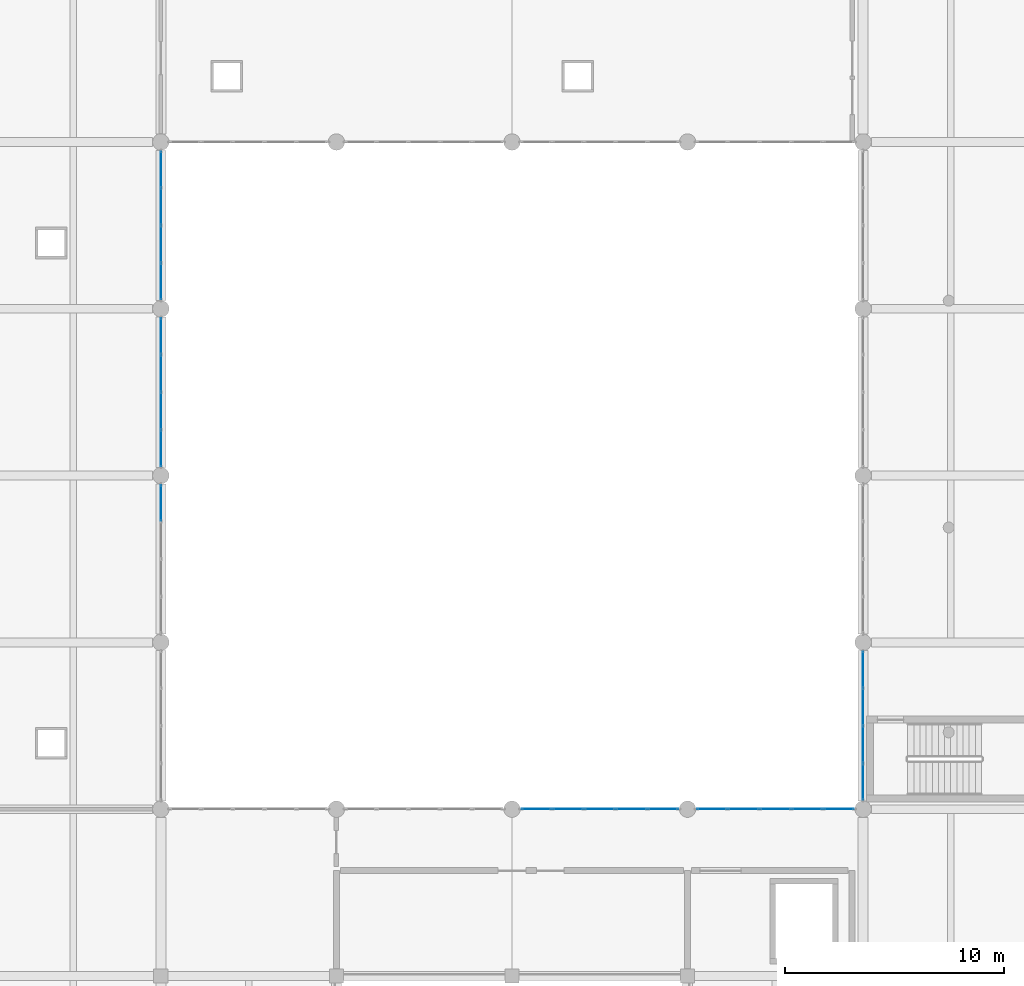
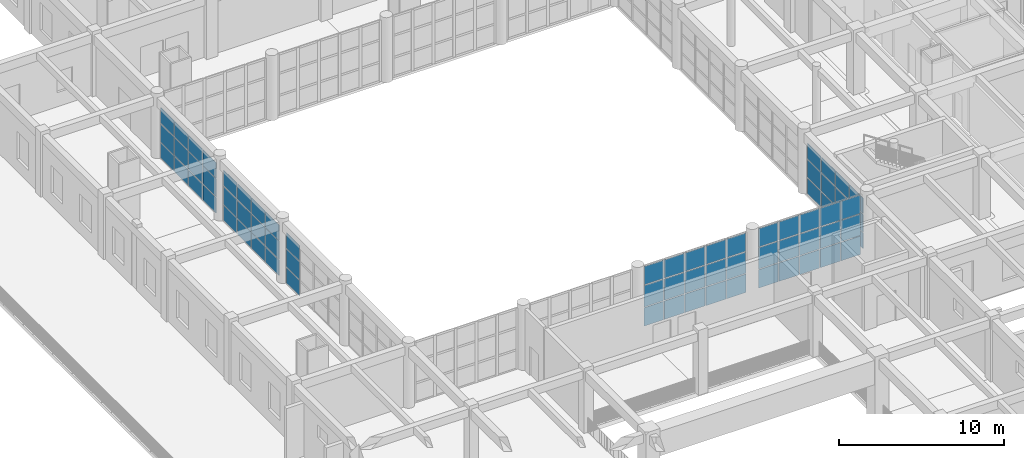
# One storey, part 62 of 101: 69 plates, 6 elements without a shape of their own.
"""IFC4 building model written with IfcOpenShell, lengths in metres."""

from ifc_helpers import new_model, si_unit, direction, frame, origin, origin_2d, place, context, subcontext, project, spatial, rectangle, extrude, material, layer, layer_set, type_object, element, aggregate, save


model = new_model("IFC4")

# Units and contexts
model_context = context("Model", 3, precision=1e-05, world=origin(), true_north=direction((0.0, 1.0)))
body_context = subcontext(model_context, "Body", "Model", "MODEL_VIEW")
ifc_project = project(units=[si_unit("LENGTHUNIT", "METRE"), si_unit("AREAUNIT", "SQUARE_METRE"), si_unit("VOLUMEUNIT", "CUBIC_METRE"), si_unit("PLANEANGLEUNIT", "RADIAN"), si_unit("MASSUNIT", "GRAM", prefix="KILO")], contexts=[model_context])

# Site, building, storey
site_placement = place(None, origin())
site = spatial("IfcSite", under=ifc_project, at=site_placement, CompositionType="ELEMENT")
building_placement = place(site_placement, origin())
building = spatial("IfcBuilding", under=site, at=building_placement, Name="Zantavel Square City Hall", CompositionType="ELEMENT")
storey_placement = place(building_placement, frame((0.0, 0.0, 5.39990234375)))
storey = spatial("IfcBuildingStorey", under=building, at=storey_placement, Name="L02", CompositionType="ELEMENT", Elevation=5.39990234375)

# Curtain wall, plates
ifc_material_1 = material(Name="Anodised aluminium 6063-T6", Category="aluminium")
curtain_wall_type_1 = type_object("IfcCurtainWallType", Name="Curtain Wall CRT 7250x4520", PredefinedType="USERDEFINED", material=ifc_material_1)
curtain_wall_1_placement = place(storey_placement, origin())
curtain_wall_1 = element("IfcCurtainWall", 1, at=curtain_wall_1_placement, inside=storey, type_object=curtain_wall_type_1, Name="L02 Glazed Curtain Wall CW-L02-075", ObjectType="GLAZED CURTAIN WALL", PredefinedType="USERDEFINED")
ifc_material_2 = material(Name="Tempered safety glass low-E double glazing", Category="glass")
ifc_layer_1 = layer(ifc_material_2, 0.028076171875, Name="Tempered safety glass low-E double glazing")
ifc_layer_set_1 = layer_set([ifc_layer_1], Name="Tempered safety glass low-E double glazing")
plate_type_1 = type_object("IfcPlateType", Name="Low-E Curtain Glazing Panel 1450x1507x28", PredefinedType="CURTAIN_PANEL", material=ifc_layer_set_1)
plate_1_placement = place(storey_placement, frame((33.114990234375, 38.0, 0.06005859375), z_axis=(0.0, 0.0, 1.0), x_axis=(1.0, 0.0, 0.0)))
plate_1 = element("IfcPlate", 2, at=plate_1_placement, type_object=plate_type_1, Name="CW-075 panel 1.1", PredefinedType="CURTAIN_PANEL", context=body_context, shape_type="SweptSolid", body=[
    extrude(rectangle(XDim=1.360107421875, YDim=0.028076171875, at=origin_2d()), origin(), (0.0, 0.0, 1.0), 1.35595703125),
])
plate_2_placement = place(storey_placement, frame((33.114990234375, 38.0, 1.47607421875), z_axis=(0.0, 0.0, 1.0), x_axis=(1.0, 0.0, 0.0)))
plate_2 = element("IfcPlate", 3, at=plate_2_placement, type_object=plate_type_1, Name="CW-075 panel 1.2", PredefinedType="CURTAIN_PANEL", context=body_context, shape_type="SweptSolid", body=[
    extrude(rectangle(XDim=1.360107421875, YDim=0.028076171875, at=origin_2d()), origin(), (0.0, 0.0, 1.0), 1.568115234375),
])
plate_3_placement = place(storey_placement, frame((33.114990234375, 38.0, 3.10400390625), z_axis=(0.0, 0.0, 1.0), x_axis=(1.0, 0.0, 0.0)))
plate_3 = element("IfcPlate", 4, at=plate_3_placement, type_object=plate_type_1, Name="CW-075 panel 1.3", PredefinedType="CURTAIN_PANEL", context=body_context, shape_type="SweptSolid", body=[
    extrude(rectangle(XDim=1.360107421875, YDim=0.028076171875, at=origin_2d()), origin(), (0.0, 0.0, 1.0), 1.35595703125),
])
plate_4_placement = place(storey_placement, frame((34.550048828125, 38.0, 0.06005859375), z_axis=(0.0, 0.0, 1.0), x_axis=(1.0, 0.0, 0.0)))
plate_4 = element("IfcPlate", 5, at=plate_4_placement, type_object=plate_type_1, Name="CW-075 panel 2.1", PredefinedType="CURTAIN_PANEL", context=body_context, shape_type="SweptSolid", body=[
    extrude(rectangle(XDim=1.389892578125, YDim=0.028076171875, at=origin_2d()), origin(), (0.0, 0.0, 1.0), 1.35595703125),
])
plate_5_placement = place(storey_placement, frame((34.550048828125, 38.0, 1.47607421875), z_axis=(0.0, 0.0, 1.0), x_axis=(1.0, 0.0, 0.0)))
plate_5 = element("IfcPlate", 6, at=plate_5_placement, type_object=plate_type_1, Name="CW-075 panel 2.2", PredefinedType="CURTAIN_PANEL", context=body_context, shape_type="SweptSolid", body=[
    extrude(rectangle(XDim=1.389892578125, YDim=0.028076171875, at=origin_2d()), origin(), (0.0, 0.0, 1.0), 1.568115234375),
])
plate_6_placement = place(storey_placement, frame((34.550048828125, 38.0, 3.10400390625), z_axis=(0.0, 0.0, 1.0), x_axis=(1.0, 0.0, 0.0)))
plate_6 = element("IfcPlate", 7, at=plate_6_placement, type_object=plate_type_1, Name="CW-075 panel 2.3", PredefinedType="CURTAIN_PANEL", context=body_context, shape_type="SweptSolid", body=[
    extrude(rectangle(XDim=1.389892578125, YDim=0.028076171875, at=origin_2d()), origin(), (0.0, 0.0, 1.0), 1.35595703125),
])
plate_7_placement = place(storey_placement, frame((36.0, 38.0, 0.06005859375), z_axis=(0.0, 0.0, 1.0), x_axis=(1.0, 0.0, 0.0)))
plate_7 = element("IfcPlate", 8, at=plate_7_placement, type_object=plate_type_1, Name="CW-075 panel 3.1", PredefinedType="CURTAIN_PANEL", context=body_context, shape_type="SweptSolid", body=[
    extrude(rectangle(XDim=1.389892578125, YDim=0.028076171875, at=origin_2d()), origin(), (0.0, 0.0, 1.0), 1.35595703125),
])
plate_8_placement = place(storey_placement, frame((36.0, 38.0, 1.47607421875), z_axis=(0.0, 0.0, 1.0), x_axis=(1.0, 0.0, 0.0)))
plate_8 = element("IfcPlate", 9, at=plate_8_placement, type_object=plate_type_1, Name="CW-075 panel 3.2", PredefinedType="CURTAIN_PANEL", context=body_context, shape_type="SweptSolid", body=[
    extrude(rectangle(XDim=1.389892578125, YDim=0.028076171875, at=origin_2d()), origin(), (0.0, 0.0, 1.0), 1.568115234375),
])
plate_9_placement = place(storey_placement, frame((36.0, 38.0, 3.10400390625), z_axis=(0.0, 0.0, 1.0), x_axis=(1.0, 0.0, 0.0)))
plate_9 = element("IfcPlate", 10, at=plate_9_placement, type_object=plate_type_1, Name="CW-075 panel 3.3", PredefinedType="CURTAIN_PANEL", context=body_context, shape_type="SweptSolid", body=[
    extrude(rectangle(XDim=1.389892578125, YDim=0.028076171875, at=origin_2d()), origin(), (0.0, 0.0, 1.0), 1.35595703125),
])
plate_10_placement = place(storey_placement, frame((37.449951171875, 38.0, 0.06005859375), z_axis=(0.0, 0.0, 1.0), x_axis=(1.0, 0.0, 0.0)))
plate_10 = element("IfcPlate", 11, at=plate_10_placement, type_object=plate_type_1, Name="CW-075 panel 4.1", PredefinedType="CURTAIN_PANEL", context=body_context, shape_type="SweptSolid", body=[
    extrude(rectangle(XDim=1.389892578125, YDim=0.028076171875, at=origin_2d()), origin(), (0.0, 0.0, 1.0), 1.35595703125),
])
plate_11_placement = place(storey_placement, frame((37.449951171875, 38.0, 1.47607421875), z_axis=(0.0, 0.0, 1.0), x_axis=(1.0, 0.0, 0.0)))
plate_11 = element("IfcPlate", 12, at=plate_11_placement, type_object=plate_type_1, Name="CW-075 panel 4.2", PredefinedType="CURTAIN_PANEL", context=body_context, shape_type="SweptSolid", body=[
    extrude(rectangle(XDim=1.389892578125, YDim=0.028076171875, at=origin_2d()), origin(), (0.0, 0.0, 1.0), 1.568115234375),
])
plate_12_placement = place(storey_placement, frame((37.449951171875, 38.0, 3.10400390625), z_axis=(0.0, 0.0, 1.0), x_axis=(1.0, 0.0, 0.0)))
plate_12 = element("IfcPlate", 13, at=plate_12_placement, type_object=plate_type_1, Name="CW-075 panel 4.3", PredefinedType="CURTAIN_PANEL", context=body_context, shape_type="SweptSolid", body=[
    extrude(rectangle(XDim=1.389892578125, YDim=0.028076171875, at=origin_2d()), origin(), (0.0, 0.0, 1.0), 1.35595703125),
])
plate_13_placement = place(storey_placement, frame((38.885009765625, 38.0, 0.06005859375), z_axis=(0.0, 0.0, 1.0), x_axis=(1.0, 0.0, 0.0)))
plate_13 = element("IfcPlate", 14, at=plate_13_placement, type_object=plate_type_1, Name="CW-075 panel 5.1", PredefinedType="CURTAIN_PANEL", context=body_context, shape_type="SweptSolid", body=[
    extrude(rectangle(XDim=1.360107421875, YDim=0.028076171875, at=origin_2d()), origin(), (0.0, 0.0, 1.0), 1.35595703125),
])
plate_14_placement = place(storey_placement, frame((38.885009765625, 38.0, 1.47607421875), z_axis=(0.0, 0.0, 1.0), x_axis=(1.0, 0.0, 0.0)))
plate_14 = element("IfcPlate", 15, at=plate_14_placement, type_object=plate_type_1, Name="CW-075 panel 5.2", PredefinedType="CURTAIN_PANEL", context=body_context, shape_type="SweptSolid", body=[
    extrude(rectangle(XDim=1.360107421875, YDim=0.028076171875, at=origin_2d()), origin(), (0.0, 0.0, 1.0), 1.568115234375),
])
plate_15_placement = place(storey_placement, frame((38.885009765625, 38.0, 3.10400390625), z_axis=(0.0, 0.0, 1.0), x_axis=(1.0, 0.0, 0.0)))
plate_15 = element("IfcPlate", 16, at=plate_15_placement, type_object=plate_type_1, Name="CW-075 panel 5.3", PredefinedType="CURTAIN_PANEL", context=body_context, shape_type="SweptSolid", body=[
    extrude(rectangle(XDim=1.360107421875, YDim=0.028076171875, at=origin_2d()), origin(), (0.0, 0.0, 1.0), 1.35595703125),
])
aggregate(curtain_wall_1, [plate_1, plate_2, plate_3, plate_4, plate_5, plate_6, plate_7, plate_8, plate_9, plate_10, plate_11, plate_12, plate_13, plate_14, plate_15])

curtain_wall_2_placement = place(storey_placement, origin())
curtain_wall_2 = element("IfcCurtainWall", 17, at=curtain_wall_2_placement, inside=storey, type_object=curtain_wall_type_1, Name="L02 Glazed Curtain Wall CW-L02-076", ObjectType="GLAZED CURTAIN WALL", PredefinedType="USERDEFINED")
plate_16_placement = place(storey_placement, frame((41.114990234375, 38.0, 0.06005859375), z_axis=(0.0, 0.0, 1.0), x_axis=(1.0, 0.0, 0.0)))
plate_16 = element("IfcPlate", 18, at=plate_16_placement, type_object=plate_type_1, Name="CW-076 panel 1.1", PredefinedType="CURTAIN_PANEL", context=body_context, shape_type="SweptSolid", body=[
    extrude(rectangle(XDim=1.360107421875, YDim=0.028076171875, at=origin_2d()), origin(), (0.0, 0.0, 1.0), 1.35595703125),
])
plate_17_placement = place(storey_placement, frame((41.114990234375, 38.0, 1.47607421875), z_axis=(0.0, 0.0, 1.0), x_axis=(1.0, 0.0, 0.0)))
plate_17 = element("IfcPlate", 19, at=plate_17_placement, type_object=plate_type_1, Name="CW-076 panel 1.2", PredefinedType="CURTAIN_PANEL", context=body_context, shape_type="SweptSolid", body=[
    extrude(rectangle(XDim=1.360107421875, YDim=0.028076171875, at=origin_2d()), origin(), (0.0, 0.0, 1.0), 1.568115234375),
])
plate_18_placement = place(storey_placement, frame((41.114990234375, 38.0, 3.10400390625), z_axis=(0.0, 0.0, 1.0), x_axis=(1.0, 0.0, 0.0)))
plate_18 = element("IfcPlate", 20, at=plate_18_placement, type_object=plate_type_1, Name="CW-076 panel 1.3", PredefinedType="CURTAIN_PANEL", context=body_context, shape_type="SweptSolid", body=[
    extrude(rectangle(XDim=1.360107421875, YDim=0.028076171875, at=origin_2d()), origin(), (0.0, 0.0, 1.0), 1.35595703125),
])
plate_19_placement = place(storey_placement, frame((42.550048828125, 38.0, 0.06005859375), z_axis=(0.0, 0.0, 1.0), x_axis=(1.0, 0.0, 0.0)))
plate_19 = element("IfcPlate", 21, at=plate_19_placement, type_object=plate_type_1, Name="CW-076 panel 2.1", PredefinedType="CURTAIN_PANEL", context=body_context, shape_type="SweptSolid", body=[
    extrude(rectangle(XDim=1.389892578125, YDim=0.028076171875, at=origin_2d()), origin(), (0.0, 0.0, 1.0), 1.35595703125),
])
plate_20_placement = place(storey_placement, frame((42.550048828125, 38.0, 1.47607421875), z_axis=(0.0, 0.0, 1.0), x_axis=(1.0, 0.0, 0.0)))
plate_20 = element("IfcPlate", 22, at=plate_20_placement, type_object=plate_type_1, Name="CW-076 panel 2.2", PredefinedType="CURTAIN_PANEL", context=body_context, shape_type="SweptSolid", body=[
    extrude(rectangle(XDim=1.389892578125, YDim=0.028076171875, at=origin_2d()), origin(), (0.0, 0.0, 1.0), 1.568115234375),
])
plate_21_placement = place(storey_placement, frame((42.550048828125, 38.0, 3.10400390625), z_axis=(0.0, 0.0, 1.0), x_axis=(1.0, 0.0, 0.0)))
plate_21 = element("IfcPlate", 23, at=plate_21_placement, type_object=plate_type_1, Name="CW-076 panel 2.3", PredefinedType="CURTAIN_PANEL", context=body_context, shape_type="SweptSolid", body=[
    extrude(rectangle(XDim=1.389892578125, YDim=0.028076171875, at=origin_2d()), origin(), (0.0, 0.0, 1.0), 1.35595703125),
])
plate_22_placement = place(storey_placement, frame((44.0, 38.0, 0.06005859375), z_axis=(0.0, 0.0, 1.0), x_axis=(1.0, 0.0, 0.0)))
plate_22 = element("IfcPlate", 24, at=plate_22_placement, type_object=plate_type_1, Name="CW-076 panel 3.1", PredefinedType="CURTAIN_PANEL", context=body_context, shape_type="SweptSolid", body=[
    extrude(rectangle(XDim=1.389892578125, YDim=0.028076171875, at=origin_2d()), origin(), (0.0, 0.0, 1.0), 1.35595703125),
])
plate_23_placement = place(storey_placement, frame((44.0, 38.0, 1.47607421875), z_axis=(0.0, 0.0, 1.0), x_axis=(1.0, 0.0, 0.0)))
plate_23 = element("IfcPlate", 25, at=plate_23_placement, type_object=plate_type_1, Name="CW-076 panel 3.2", PredefinedType="CURTAIN_PANEL", context=body_context, shape_type="SweptSolid", body=[
    extrude(rectangle(XDim=1.389892578125, YDim=0.028076171875, at=origin_2d()), origin(), (0.0, 0.0, 1.0), 1.568115234375),
])
plate_24_placement = place(storey_placement, frame((44.0, 38.0, 3.10400390625), z_axis=(0.0, 0.0, 1.0), x_axis=(1.0, 0.0, 0.0)))
plate_24 = element("IfcPlate", 26, at=plate_24_placement, type_object=plate_type_1, Name="CW-076 panel 3.3", PredefinedType="CURTAIN_PANEL", context=body_context, shape_type="SweptSolid", body=[
    extrude(rectangle(XDim=1.389892578125, YDim=0.028076171875, at=origin_2d()), origin(), (0.0, 0.0, 1.0), 1.35595703125),
])
plate_25_placement = place(storey_placement, frame((45.449951171875, 38.0, 0.06005859375), z_axis=(0.0, 0.0, 1.0), x_axis=(1.0, 0.0, 0.0)))
plate_25 = element("IfcPlate", 27, at=plate_25_placement, type_object=plate_type_1, Name="CW-076 panel 4.1", PredefinedType="CURTAIN_PANEL", context=body_context, shape_type="SweptSolid", body=[
    extrude(rectangle(XDim=1.389892578125, YDim=0.028076171875, at=origin_2d()), origin(), (0.0, 0.0, 1.0), 1.35595703125),
])
plate_26_placement = place(storey_placement, frame((45.449951171875, 38.0, 1.47607421875), z_axis=(0.0, 0.0, 1.0), x_axis=(1.0, 0.0, 0.0)))
plate_26 = element("IfcPlate", 28, at=plate_26_placement, type_object=plate_type_1, Name="CW-076 panel 4.2", PredefinedType="CURTAIN_PANEL", context=body_context, shape_type="SweptSolid", body=[
    extrude(rectangle(XDim=1.389892578125, YDim=0.028076171875, at=origin_2d()), origin(), (0.0, 0.0, 1.0), 1.568115234375),
])
plate_27_placement = place(storey_placement, frame((45.449951171875, 38.0, 3.10400390625), z_axis=(0.0, 0.0, 1.0), x_axis=(1.0, 0.0, 0.0)))
plate_27 = element("IfcPlate", 29, at=plate_27_placement, type_object=plate_type_1, Name="CW-076 panel 4.3", PredefinedType="CURTAIN_PANEL", context=body_context, shape_type="SweptSolid", body=[
    extrude(rectangle(XDim=1.389892578125, YDim=0.028076171875, at=origin_2d()), origin(), (0.0, 0.0, 1.0), 1.35595703125),
])
plate_28_placement = place(storey_placement, frame((46.885009765625, 38.0, 0.06005859375), z_axis=(0.0, 0.0, 1.0), x_axis=(1.0, 0.0, 0.0)))
plate_28 = element("IfcPlate", 30, at=plate_28_placement, type_object=plate_type_1, Name="CW-076 panel 5.1", PredefinedType="CURTAIN_PANEL", context=body_context, shape_type="SweptSolid", body=[
    extrude(rectangle(XDim=1.360107421875, YDim=0.028076171875, at=origin_2d()), origin(), (0.0, 0.0, 1.0), 1.35595703125),
])
plate_29_placement = place(storey_placement, frame((46.885009765625, 38.0, 1.47607421875), z_axis=(0.0, 0.0, 1.0), x_axis=(1.0, 0.0, 0.0)))
plate_29 = element("IfcPlate", 31, at=plate_29_placement, type_object=plate_type_1, Name="CW-076 panel 5.2", PredefinedType="CURTAIN_PANEL", context=body_context, shape_type="SweptSolid", body=[
    extrude(rectangle(XDim=1.360107421875, YDim=0.028076171875, at=origin_2d()), origin(), (0.0, 0.0, 1.0), 1.568115234375),
])
plate_30_placement = place(storey_placement, frame((46.885009765625, 38.0, 3.10400390625), z_axis=(0.0, 0.0, 1.0), x_axis=(1.0, 0.0, 0.0)))
plate_30 = element("IfcPlate", 32, at=plate_30_placement, type_object=plate_type_1, Name="CW-076 panel 5.3", PredefinedType="CURTAIN_PANEL", context=body_context, shape_type="SweptSolid", body=[
    extrude(rectangle(XDim=1.360107421875, YDim=0.028076171875, at=origin_2d()), origin(), (0.0, 0.0, 1.0), 1.35595703125),
])
aggregate(curtain_wall_2, [plate_16, plate_17, plate_18, plate_19, plate_20, plate_21, plate_22, plate_23, plate_24, plate_25, plate_26, plate_27, plate_28, plate_29, plate_30])

curtain_wall_type_2 = type_object("IfcCurtainWallType", Name="Curtain Wall CRT 6850x3840", PredefinedType="USERDEFINED", material=ifc_material_1)
curtain_wall_3_placement = place(storey_placement, origin())
curtain_wall_3 = element("IfcCurtainWall", 33, at=curtain_wall_3_placement, inside=storey, type_object=curtain_wall_type_2, Name="L02 Glazed Curtain Wall CW-L02-070", ObjectType="GLAZED CURTAIN WALL", PredefinedType="USERDEFINED")
ifc_layer_2 = layer(ifc_material_2, 0.028076171875, Name="Tempered safety glass low-E double glazing")
ifc_layer_set_2 = layer_set([ifc_layer_2], Name="Tempered safety glass low-E double glazing")
plate_type_2 = type_object("IfcPlateType", Name="Low-E Curtain Glazing Panel 1712x1280x28", PredefinedType="CURTAIN_PANEL", material=ifc_layer_set_2)
plate_31_placement = place(storey_placement, frame((16.0, 59.5537109375, 0.06005859375), z_axis=(0.0, 0.0, 1.0), x_axis=(0.0, -1.0, 0.0)))
plate_31 = element("IfcPlate", 34, at=plate_31_placement, type_object=plate_type_2, Name="CW-070 panel 1.1", PredefinedType="CURTAIN_PANEL", context=body_context, shape_type="SweptSolid", body=[
    extrude(rectangle(XDim=1.62255859375, YDim=0.028076171875, at=origin_2d()), origin(), (0.0, 0.0, 1.0), 1.138916015625),
])
plate_32_placement = place(storey_placement, frame((16.0, 59.5537109375, 1.25927734375), z_axis=(0.0, 0.0, 1.0), x_axis=(0.0, -1.0, 0.0)))
plate_32 = element("IfcPlate", 35, at=plate_32_placement, type_object=plate_type_2, Name="CW-070 panel 1.2", PredefinedType="CURTAIN_PANEL", context=body_context, shape_type="SweptSolid", body=[
    extrude(rectangle(XDim=1.62255859375, YDim=0.028076171875, at=origin_2d()), origin(), (0.0, 0.0, 1.0), 1.322021484375),
])
plate_33_placement = place(storey_placement, frame((16.0, 59.5537109375, 2.64111328125), z_axis=(0.0, 0.0, 1.0), x_axis=(0.0, -1.0, 0.0)))
plate_33 = element("IfcPlate", 36, at=plate_33_placement, type_object=plate_type_2, Name="CW-070 panel 1.3", PredefinedType="CURTAIN_PANEL", context=body_context, shape_type="SweptSolid", body=[
    extrude(rectangle(XDim=1.62255859375, YDim=0.028076171875, at=origin_2d()), origin(), (0.0, 0.0, 1.0), 1.138916015625),
])
plate_34_placement = place(storey_placement, frame((16.0, 57.856201171875, 0.06005859375), z_axis=(0.0, 0.0, 1.0), x_axis=(0.0, -1.0, 0.0)))
plate_34 = element("IfcPlate", 37, at=plate_34_placement, type_object=plate_type_2, Name="CW-070 panel 2.1", PredefinedType="CURTAIN_PANEL", context=body_context, shape_type="SweptSolid", body=[
    extrude(rectangle(XDim=1.652587890625, YDim=0.028076171875, at=origin_2d()), origin(), (0.0, 0.0, 1.0), 1.138916015625),
])
plate_35_placement = place(storey_placement, frame((16.0, 57.856201171875, 1.25927734375), z_axis=(0.0, 0.0, 1.0), x_axis=(0.0, -1.0, 0.0)))
plate_35 = element("IfcPlate", 38, at=plate_35_placement, type_object=plate_type_2, Name="CW-070 panel 2.2", PredefinedType="CURTAIN_PANEL", context=body_context, shape_type="SweptSolid", body=[
    extrude(rectangle(XDim=1.652587890625, YDim=0.028076171875, at=origin_2d()), origin(), (0.0, 0.0, 1.0), 1.322021484375),
])
plate_36_placement = place(storey_placement, frame((16.0, 57.856201171875, 2.64111328125), z_axis=(0.0, 0.0, 1.0), x_axis=(0.0, -1.0, 0.0)))
plate_36 = element("IfcPlate", 39, at=plate_36_placement, type_object=plate_type_2, Name="CW-070 panel 2.3", PredefinedType="CURTAIN_PANEL", context=body_context, shape_type="SweptSolid", body=[
    extrude(rectangle(XDim=1.652587890625, YDim=0.028076171875, at=origin_2d()), origin(), (0.0, 0.0, 1.0), 1.138916015625),
])
plate_37_placement = place(storey_placement, frame((16.0, 56.143798828125, 0.06005859375), z_axis=(0.0, 0.0, 1.0), x_axis=(0.0, -1.0, 0.0)))
plate_37 = element("IfcPlate", 40, at=plate_37_placement, type_object=plate_type_2, Name="CW-070 panel 3.1", PredefinedType="CURTAIN_PANEL", context=body_context, shape_type="SweptSolid", body=[
    extrude(rectangle(XDim=1.652587890625, YDim=0.028076171875, at=origin_2d()), origin(), (0.0, 0.0, 1.0), 1.138916015625),
])
plate_38_placement = place(storey_placement, frame((16.0, 56.143798828125, 1.25927734375), z_axis=(0.0, 0.0, 1.0), x_axis=(0.0, -1.0, 0.0)))
plate_38 = element("IfcPlate", 41, at=plate_38_placement, type_object=plate_type_2, Name="CW-070 panel 3.2", PredefinedType="CURTAIN_PANEL", context=body_context, shape_type="SweptSolid", body=[
    extrude(rectangle(XDim=1.652587890625, YDim=0.028076171875, at=origin_2d()), origin(), (0.0, 0.0, 1.0), 1.322021484375),
])
plate_39_placement = place(storey_placement, frame((16.0, 56.143798828125, 2.64111328125), z_axis=(0.0, 0.0, 1.0), x_axis=(0.0, -1.0, 0.0)))
plate_39 = element("IfcPlate", 42, at=plate_39_placement, type_object=plate_type_2, Name="CW-070 panel 3.3", PredefinedType="CURTAIN_PANEL", context=body_context, shape_type="SweptSolid", body=[
    extrude(rectangle(XDim=1.652587890625, YDim=0.028076171875, at=origin_2d()), origin(), (0.0, 0.0, 1.0), 1.138916015625),
])
plate_40_placement = place(storey_placement, frame((16.0, 54.4462890625, 0.06005859375), z_axis=(0.0, 0.0, 1.0), x_axis=(0.0, -1.0, 0.0)))
plate_40 = element("IfcPlate", 43, at=plate_40_placement, type_object=plate_type_2, Name="CW-070 panel 4.1", PredefinedType="CURTAIN_PANEL", context=body_context, shape_type="SweptSolid", body=[
    extrude(rectangle(XDim=1.62255859375, YDim=0.028076171875, at=origin_2d()), origin(), (0.0, 0.0, 1.0), 1.138916015625),
])
plate_41_placement = place(storey_placement, frame((16.0, 54.4462890625, 1.25927734375), z_axis=(0.0, 0.0, 1.0), x_axis=(0.0, -1.0, 0.0)))
plate_41 = element("IfcPlate", 44, at=plate_41_placement, type_object=plate_type_2, Name="CW-070 panel 4.2", PredefinedType="CURTAIN_PANEL", context=body_context, shape_type="SweptSolid", body=[
    extrude(rectangle(XDim=1.62255859375, YDim=0.028076171875, at=origin_2d()), origin(), (0.0, 0.0, 1.0), 1.322021484375),
])
plate_42_placement = place(storey_placement, frame((16.0, 54.4462890625, 2.64111328125), z_axis=(0.0, 0.0, 1.0), x_axis=(0.0, -1.0, 0.0)))
plate_42 = element("IfcPlate", 45, at=plate_42_placement, type_object=plate_type_2, Name="CW-070 panel 4.3", PredefinedType="CURTAIN_PANEL", context=body_context, shape_type="SweptSolid", body=[
    extrude(rectangle(XDim=1.62255859375, YDim=0.028076171875, at=origin_2d()), origin(), (0.0, 0.0, 1.0), 1.138916015625),
])
aggregate(curtain_wall_3, [plate_31, plate_32, plate_33, plate_34, plate_35, plate_36, plate_37, plate_38, plate_39, plate_40, plate_41, plate_42])

curtain_wall_4_placement = place(storey_placement, origin())
curtain_wall_4 = element("IfcCurtainWall", 46, at=curtain_wall_4_placement, inside=storey, type_object=curtain_wall_type_2, Name="L02 Glazed Curtain Wall CW-L02-069", ObjectType="GLAZED CURTAIN WALL", PredefinedType="USERDEFINED")
ifc_layer_3 = layer(ifc_material_2, 0.028076171875, Name="Tempered safety glass low-E double glazing")
ifc_layer_set_3 = layer_set([ifc_layer_3], Name="Tempered safety glass low-E double glazing")
plate_type_3 = type_object("IfcPlateType", Name="Low-E Curtain Glazing Panel 1713x1280x28", PredefinedType="CURTAIN_PANEL", material=ifc_layer_set_3)
plate_43_placement = place(storey_placement, frame((16.0, 67.15380859375, 0.06005859375), z_axis=(0.0, 0.0, 1.0), x_axis=(0.0, -1.0, 0.0)))
plate_43 = element("IfcPlate", 47, at=plate_43_placement, type_object=plate_type_3, Name="CW-069 panel 1.1", PredefinedType="CURTAIN_PANEL", context=body_context, shape_type="SweptSolid", body=[
    extrude(rectangle(XDim=1.62255859375, YDim=0.028076171875, at=origin_2d()), origin(), (0.0, 0.0, 1.0), 1.138916015625),
])
plate_44_placement = place(storey_placement, frame((16.0, 67.15380859375, 1.25927734375), z_axis=(0.0, 0.0, 1.0), x_axis=(0.0, -1.0, 0.0)))
plate_44 = element("IfcPlate", 48, at=plate_44_placement, type_object=plate_type_3, Name="CW-069 panel 1.2", PredefinedType="CURTAIN_PANEL", context=body_context, shape_type="SweptSolid", body=[
    extrude(rectangle(XDim=1.62255859375, YDim=0.028076171875, at=origin_2d()), origin(), (0.0, 0.0, 1.0), 1.322021484375),
])
plate_45_placement = place(storey_placement, frame((16.0, 67.15380859375, 2.64111328125), z_axis=(0.0, 0.0, 1.0), x_axis=(0.0, -1.0, 0.0)))
plate_45 = element("IfcPlate", 49, at=plate_45_placement, type_object=plate_type_3, Name="CW-069 panel 1.3", PredefinedType="CURTAIN_PANEL", context=body_context, shape_type="SweptSolid", body=[
    extrude(rectangle(XDim=1.62255859375, YDim=0.028076171875, at=origin_2d()), origin(), (0.0, 0.0, 1.0), 1.138916015625),
])
plate_46_placement = place(storey_placement, frame((16.0, 65.456298828125, 0.06005859375), z_axis=(0.0, 0.0, 1.0), x_axis=(0.0, -1.0, 0.0)))
plate_46 = element("IfcPlate", 50, at=plate_46_placement, type_object=plate_type_3, Name="CW-069 panel 2.1", PredefinedType="CURTAIN_PANEL", context=body_context, shape_type="SweptSolid", body=[
    extrude(rectangle(XDim=1.652587890625, YDim=0.028076171875, at=origin_2d()), origin(), (0.0, 0.0, 1.0), 1.138916015625),
])
plate_47_placement = place(storey_placement, frame((16.0, 65.456298828125, 1.25927734375), z_axis=(0.0, 0.0, 1.0), x_axis=(0.0, -1.0, 0.0)))
plate_47 = element("IfcPlate", 51, at=plate_47_placement, type_object=plate_type_3, Name="CW-069 panel 2.2", PredefinedType="CURTAIN_PANEL", context=body_context, shape_type="SweptSolid", body=[
    extrude(rectangle(XDim=1.652587890625, YDim=0.028076171875, at=origin_2d()), origin(), (0.0, 0.0, 1.0), 1.322021484375),
])
plate_48_placement = place(storey_placement, frame((16.0, 65.456298828125, 2.64111328125), z_axis=(0.0, 0.0, 1.0), x_axis=(0.0, -1.0, 0.0)))
plate_48 = element("IfcPlate", 52, at=plate_48_placement, type_object=plate_type_3, Name="CW-069 panel 2.3", PredefinedType="CURTAIN_PANEL", context=body_context, shape_type="SweptSolid", body=[
    extrude(rectangle(XDim=1.652587890625, YDim=0.028076171875, at=origin_2d()), origin(), (0.0, 0.0, 1.0), 1.138916015625),
])
plate_49_placement = place(storey_placement, frame((16.0, 63.74365234375, 0.06005859375), z_axis=(0.0, 0.0, 1.0), x_axis=(0.0, -1.0, 0.0)))
plate_49 = element("IfcPlate", 53, at=plate_49_placement, type_object=plate_type_3, Name="CW-069 panel 3.1", PredefinedType="CURTAIN_PANEL", context=body_context, shape_type="SweptSolid", body=[
    extrude(rectangle(XDim=1.652587890625, YDim=0.028076171875, at=origin_2d()), origin(), (0.0, 0.0, 1.0), 1.138916015625),
])
plate_50_placement = place(storey_placement, frame((16.0, 63.74365234375, 1.25927734375), z_axis=(0.0, 0.0, 1.0), x_axis=(0.0, -1.0, 0.0)))
plate_50 = element("IfcPlate", 54, at=plate_50_placement, type_object=plate_type_3, Name="CW-069 panel 3.2", PredefinedType="CURTAIN_PANEL", context=body_context, shape_type="SweptSolid", body=[
    extrude(rectangle(XDim=1.652587890625, YDim=0.028076171875, at=origin_2d()), origin(), (0.0, 0.0, 1.0), 1.322021484375),
])
plate_51_placement = place(storey_placement, frame((16.0, 63.74365234375, 2.64111328125), z_axis=(0.0, 0.0, 1.0), x_axis=(0.0, -1.0, 0.0)))
plate_51 = element("IfcPlate", 55, at=plate_51_placement, type_object=plate_type_3, Name="CW-069 panel 3.3", PredefinedType="CURTAIN_PANEL", context=body_context, shape_type="SweptSolid", body=[
    extrude(rectangle(XDim=1.652587890625, YDim=0.028076171875, at=origin_2d()), origin(), (0.0, 0.0, 1.0), 1.138916015625),
])
plate_52_placement = place(storey_placement, frame((16.0, 62.046142578125, 0.06005859375), z_axis=(0.0, 0.0, 1.0), x_axis=(0.0, -1.0, 0.0)))
plate_52 = element("IfcPlate", 56, at=plate_52_placement, type_object=plate_type_3, Name="CW-069 panel 4.1", PredefinedType="CURTAIN_PANEL", context=body_context, shape_type="SweptSolid", body=[
    extrude(rectangle(XDim=1.62255859375, YDim=0.028076171875, at=origin_2d()), origin(), (0.0, 0.0, 1.0), 1.138916015625),
])
plate_53_placement = place(storey_placement, frame((16.0, 62.046142578125, 1.25927734375), z_axis=(0.0, 0.0, 1.0), x_axis=(0.0, -1.0, 0.0)))
plate_53 = element("IfcPlate", 57, at=plate_53_placement, type_object=plate_type_3, Name="CW-069 panel 4.2", PredefinedType="CURTAIN_PANEL", context=body_context, shape_type="SweptSolid", body=[
    extrude(rectangle(XDim=1.62255859375, YDim=0.028076171875, at=origin_2d()), origin(), (0.0, 0.0, 1.0), 1.322021484375),
])
plate_54_placement = place(storey_placement, frame((16.0, 62.046142578125, 2.64111328125), z_axis=(0.0, 0.0, 1.0), x_axis=(0.0, -1.0, 0.0)))
plate_54 = element("IfcPlate", 58, at=plate_54_placement, type_object=plate_type_3, Name="CW-069 panel 4.3", PredefinedType="CURTAIN_PANEL", context=body_context, shape_type="SweptSolid", body=[
    extrude(rectangle(XDim=1.62255859375, YDim=0.028076171875, at=origin_2d()), origin(), (0.0, 0.0, 1.0), 1.138916015625),
])
aggregate(curtain_wall_4, [plate_43, plate_44, plate_45, plate_46, plate_47, plate_48, plate_49, plate_50, plate_51, plate_52, plate_53, plate_54])

curtain_wall_5_placement = place(storey_placement, origin())
curtain_wall_5 = element("IfcCurtainWall", 59, at=curtain_wall_5_placement, inside=storey, type_object=curtain_wall_type_2, Name="L02 Glazed Curtain Wall CW-L02-071", ObjectType="GLAZED CURTAIN WALL", PredefinedType="USERDEFINED")
plate_55_placement = place(storey_placement, frame((16.0, 51.953857421875, 0.06005859375), z_axis=(0.0, 0.0, 1.0), x_axis=(0.0, -1.0, 0.0)))
plate_55 = element("IfcPlate", 60, at=plate_55_placement, type_object=plate_type_3, Name="CW-071 panel 1.1", PredefinedType="CURTAIN_PANEL", context=body_context, shape_type="SweptSolid", body=[
    extrude(rectangle(XDim=1.62255859375, YDim=0.028076171875, at=origin_2d()), origin(), (0.0, 0.0, 1.0), 1.138916015625),
])
plate_56_placement = place(storey_placement, frame((16.0, 51.953857421875, 1.25927734375), z_axis=(0.0, 0.0, 1.0), x_axis=(0.0, -1.0, 0.0)))
plate_56 = element("IfcPlate", 61, at=plate_56_placement, type_object=plate_type_3, Name="CW-071 panel 1.2", PredefinedType="CURTAIN_PANEL", context=body_context, shape_type="SweptSolid", body=[
    extrude(rectangle(XDim=1.62255859375, YDim=0.028076171875, at=origin_2d()), origin(), (0.0, 0.0, 1.0), 1.322021484375),
])
plate_57_placement = place(storey_placement, frame((16.0, 51.953857421875, 2.64111328125), z_axis=(0.0, 0.0, 1.0), x_axis=(0.0, -1.0, 0.0)))
plate_57 = element("IfcPlate", 62, at=plate_57_placement, type_object=plate_type_3, Name="CW-071 panel 1.3", PredefinedType="CURTAIN_PANEL", context=body_context, shape_type="SweptSolid", body=[
    extrude(rectangle(XDim=1.62255859375, YDim=0.028076171875, at=origin_2d()), origin(), (0.0, 0.0, 1.0), 1.138916015625),
])
aggregate(curtain_wall_5, [plate_55, plate_56, plate_57])

curtain_wall_6_placement = place(storey_placement, origin())
curtain_wall_6 = element("IfcCurtainWall", 63, at=curtain_wall_6_placement, inside=storey, type_object=curtain_wall_type_2, Name="L02 Glazed Curtain Wall CW-L02-077", ObjectType="GLAZED CURTAIN WALL", PredefinedType="USERDEFINED")
plate_58_placement = place(storey_placement, frame((48.0, 39.246337890625, 0.06005859375), z_axis=(0.0, 0.0, 1.0), x_axis=(0.0, 1.0, 0.0)))
plate_58 = element("IfcPlate", 64, at=plate_58_placement, type_object=plate_type_3, Name="CW-077 panel 1.1", PredefinedType="CURTAIN_PANEL", context=body_context, shape_type="SweptSolid", body=[
    extrude(rectangle(XDim=1.62255859375, YDim=0.028076171875, at=origin_2d()), origin(), (0.0, 0.0, 1.0), 1.138916015625),
])
plate_59_placement = place(storey_placement, frame((48.0, 39.246337890625, 1.25927734375), z_axis=(0.0, 0.0, 1.0), x_axis=(0.0, 1.0, 0.0)))
plate_59 = element("IfcPlate", 65, at=plate_59_placement, type_object=plate_type_3, Name="CW-077 panel 1.2", PredefinedType="CURTAIN_PANEL", context=body_context, shape_type="SweptSolid", body=[
    extrude(rectangle(XDim=1.62255859375, YDim=0.028076171875, at=origin_2d()), origin(), (0.0, 0.0, 1.0), 1.322021484375),
])
plate_60_placement = place(storey_placement, frame((48.0, 39.246337890625, 2.64111328125), z_axis=(0.0, 0.0, 1.0), x_axis=(0.0, 1.0, 0.0)))
plate_60 = element("IfcPlate", 66, at=plate_60_placement, type_object=plate_type_3, Name="CW-077 panel 1.3", PredefinedType="CURTAIN_PANEL", context=body_context, shape_type="SweptSolid", body=[
    extrude(rectangle(XDim=1.62255859375, YDim=0.028076171875, at=origin_2d()), origin(), (0.0, 0.0, 1.0), 1.138916015625),
])
plate_61_placement = place(storey_placement, frame((48.0, 40.94384765625, 0.06005859375), z_axis=(0.0, 0.0, 1.0), x_axis=(0.0, 1.0, 0.0)))
plate_61 = element("IfcPlate", 67, at=plate_61_placement, type_object=plate_type_3, Name="CW-077 panel 2.1", PredefinedType="CURTAIN_PANEL", context=body_context, shape_type="SweptSolid", body=[
    extrude(rectangle(XDim=1.652587890625, YDim=0.028076171875, at=origin_2d()), origin(), (0.0, 0.0, 1.0), 1.138916015625),
])
plate_62_placement = place(storey_placement, frame((48.0, 40.94384765625, 1.25927734375), z_axis=(0.0, 0.0, 1.0), x_axis=(0.0, 1.0, 0.0)))
plate_62 = element("IfcPlate", 68, at=plate_62_placement, type_object=plate_type_3, Name="CW-077 panel 2.2", PredefinedType="CURTAIN_PANEL", context=body_context, shape_type="SweptSolid", body=[
    extrude(rectangle(XDim=1.652587890625, YDim=0.028076171875, at=origin_2d()), origin(), (0.0, 0.0, 1.0), 1.322021484375),
])
plate_63_placement = place(storey_placement, frame((48.0, 40.94384765625, 2.64111328125), z_axis=(0.0, 0.0, 1.0), x_axis=(0.0, 1.0, 0.0)))
plate_63 = element("IfcPlate", 69, at=plate_63_placement, type_object=plate_type_3, Name="CW-077 panel 2.3", PredefinedType="CURTAIN_PANEL", context=body_context, shape_type="SweptSolid", body=[
    extrude(rectangle(XDim=1.652587890625, YDim=0.028076171875, at=origin_2d()), origin(), (0.0, 0.0, 1.0), 1.138916015625),
])
plate_64_placement = place(storey_placement, frame((48.0, 42.65625, 0.06005859375), z_axis=(0.0, 0.0, 1.0), x_axis=(0.0, 1.0, 0.0)))
plate_64 = element("IfcPlate", 70, at=plate_64_placement, type_object=plate_type_3, Name="CW-077 panel 3.1", PredefinedType="CURTAIN_PANEL", context=body_context, shape_type="SweptSolid", body=[
    extrude(rectangle(XDim=1.652587890625, YDim=0.028076171875, at=origin_2d()), origin(), (0.0, 0.0, 1.0), 1.138916015625),
])
plate_65_placement = place(storey_placement, frame((48.0, 42.65625, 1.25927734375), z_axis=(0.0, 0.0, 1.0), x_axis=(0.0, 1.0, 0.0)))
plate_65 = element("IfcPlate", 71, at=plate_65_placement, type_object=plate_type_3, Name="CW-077 panel 3.2", PredefinedType="CURTAIN_PANEL", context=body_context, shape_type="SweptSolid", body=[
    extrude(rectangle(XDim=1.652587890625, YDim=0.028076171875, at=origin_2d()), origin(), (0.0, 0.0, 1.0), 1.322021484375),
])
plate_66_placement = place(storey_placement, frame((48.0, 42.65625, 2.64111328125), z_axis=(0.0, 0.0, 1.0), x_axis=(0.0, 1.0, 0.0)))
plate_66 = element("IfcPlate", 72, at=plate_66_placement, type_object=plate_type_3, Name="CW-077 panel 3.3", PredefinedType="CURTAIN_PANEL", context=body_context, shape_type="SweptSolid", body=[
    extrude(rectangle(XDim=1.652587890625, YDim=0.028076171875, at=origin_2d()), origin(), (0.0, 0.0, 1.0), 1.138916015625),
])
plate_67_placement = place(storey_placement, frame((48.0, 44.353759765625, 0.06005859375), z_axis=(0.0, 0.0, 1.0), x_axis=(0.0, 1.0, 0.0)))
plate_67 = element("IfcPlate", 73, at=plate_67_placement, type_object=plate_type_3, Name="CW-077 panel 4.1", PredefinedType="CURTAIN_PANEL", context=body_context, shape_type="SweptSolid", body=[
    extrude(rectangle(XDim=1.62255859375, YDim=0.028076171875, at=origin_2d()), origin(), (0.0, 0.0, 1.0), 1.138916015625),
])
plate_68_placement = place(storey_placement, frame((48.0, 44.353759765625, 1.25927734375), z_axis=(0.0, 0.0, 1.0), x_axis=(0.0, 1.0, 0.0)))
plate_68 = element("IfcPlate", 74, at=plate_68_placement, type_object=plate_type_3, Name="CW-077 panel 4.2", PredefinedType="CURTAIN_PANEL", context=body_context, shape_type="SweptSolid", body=[
    extrude(rectangle(XDim=1.62255859375, YDim=0.028076171875, at=origin_2d()), origin(), (0.0, 0.0, 1.0), 1.322021484375),
])
plate_69_placement = place(storey_placement, frame((48.0, 44.353759765625, 2.64111328125), z_axis=(0.0, 0.0, 1.0), x_axis=(0.0, 1.0, 0.0)))
plate_69 = element("IfcPlate", 75, at=plate_69_placement, type_object=plate_type_3, Name="CW-077 panel 4.3", PredefinedType="CURTAIN_PANEL", context=body_context, shape_type="SweptSolid", body=[
    extrude(rectangle(XDim=1.62255859375, YDim=0.028076171875, at=origin_2d()), origin(), (0.0, 0.0, 1.0), 1.138916015625),
])
aggregate(curtain_wall_6, [plate_58, plate_59, plate_60, plate_61, plate_62, plate_63, plate_64, plate_65, plate_66, plate_67, plate_68, plate_69])

save(model, "model.ifc")
